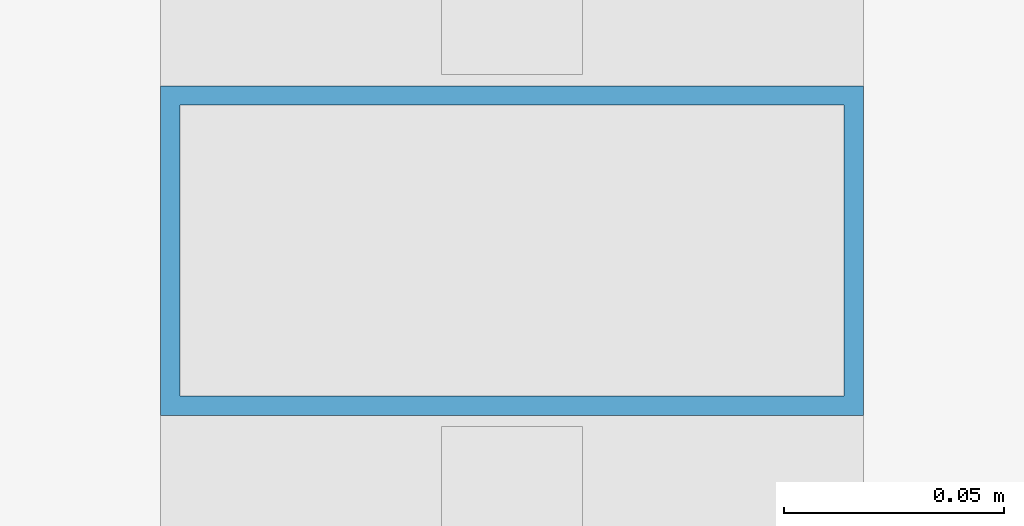
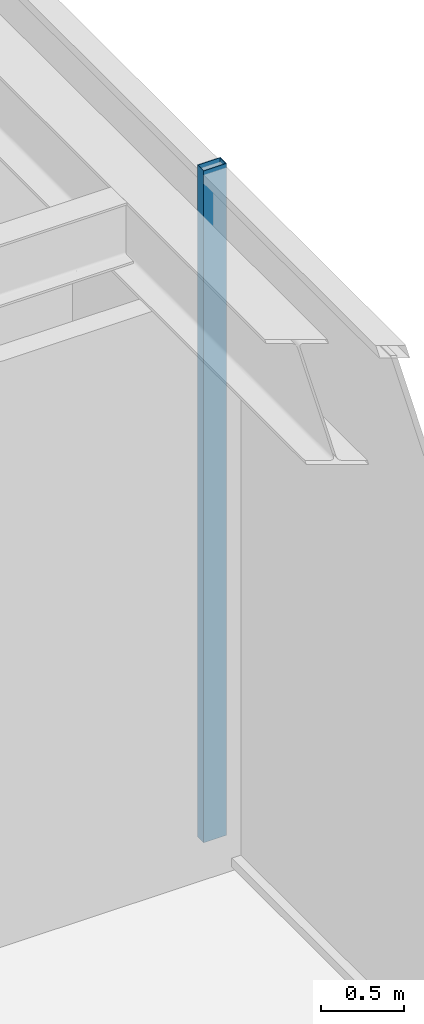
# One storey, part 26 of 49: 1 member, 1 element without a shape of its own.
"""IFC4 building model written with IfcOpenShell, lengths in metres."""

from ifc_helpers import new_model, si_unit, direction, frame, origin, origin_2d, place, context, subcontext, project, spatial, hollow_rectangle, extrude, material, material_profile, profile_set, type_object, element, aggregate, save


model = new_model("IFC4")

# Units and contexts
model_context = context("Model", 3, precision=1e-05, world=origin(), true_north=direction((0.0, 1.0)))
body_context = subcontext(model_context, "Body", "Model", "MODEL_VIEW")
ifc_project = project(units=[si_unit("LENGTHUNIT", "METRE"), si_unit("AREAUNIT", "SQUARE_METRE"), si_unit("VOLUMEUNIT", "CUBIC_METRE"), si_unit("PLANEANGLEUNIT", "RADIAN"), si_unit("MASSUNIT", "GRAM", prefix="KILO")], contexts=[model_context])

# Site, building, storey
site_placement = place(None, origin())
site = spatial("IfcSite", under=ifc_project, at=site_placement, CompositionType="ELEMENT")
building_placement = place(site_placement, origin())
building = spatial("IfcBuilding", under=site, at=building_placement, Name="Kolvaren Belvedere", CompositionType="ELEMENT")
storey_placement = place(building_placement, frame((0.0, 0.0, 10.0)))
storey = spatial("IfcBuildingStorey", under=building, at=storey_placement, Name="L03", CompositionType="ELEMENT", Elevation=10.0)

# Curtain wall, member
ifc_material_1 = material(Name="Anodised pale-metal aluminium AA 6063-T6", Category="aluminium")
curtain_wall_type = type_object("IfcCurtainWallType", Name="CW-POD-A", PredefinedType="NOTDEFINED", material=ifc_material_1)
curtain_wall_placement = place(storey_placement, origin())
curtain_wall = element("IfcCurtainWall", 1, at=curtain_wall_placement, inside=storey, type_object=curtain_wall_type, Name="L03 Unitised Curtain Wall FCW-L03-SEG6", PredefinedType="NOTDEFINED")
ifc_material_2 = material(Name="Anodised pale-metal aluminium AA 6063-T6", Category="aluminium")
ifc_material_profile = material_profile(ifc_material_2, hollow_rectangle(XDim=0.074951171875, YDim=0.159912109375, WallThickness=0.00439453125, at=origin_2d()), Name="ALU-MUL-160X75")
ifc_profile_set = profile_set([ifc_material_profile], Name="Anodised pale-metal aluminium AA 6063-T6")
member_type = type_object("IfcMemberType", Name="CW-MUL-160", PredefinedType="MULLION", material=ifc_profile_set)
member_placement = place(storey_placement, frame((27.8798828125, 0.0, 0.0), z_axis=(0.0, 0.0, 1.0), x_axis=(0.0, 1.0, 0.0)))
member = element("IfcMember", 2, at=member_placement, type_object=member_type, Name="FCW-L03-SEG6 Unitised Mullion 3", PredefinedType="MULLION", context=body_context, shape_type="SweptSolid", body=[
    extrude(hollow_rectangle(XDim=0.074951171875, YDim=0.159912109375, WallThickness=0.00439453125, at=origin_2d()), origin(), (0.0, 0.0, 1.0), 4.919921875),
])
aggregate(curtain_wall, [member])

save(model, "model.ifc")
